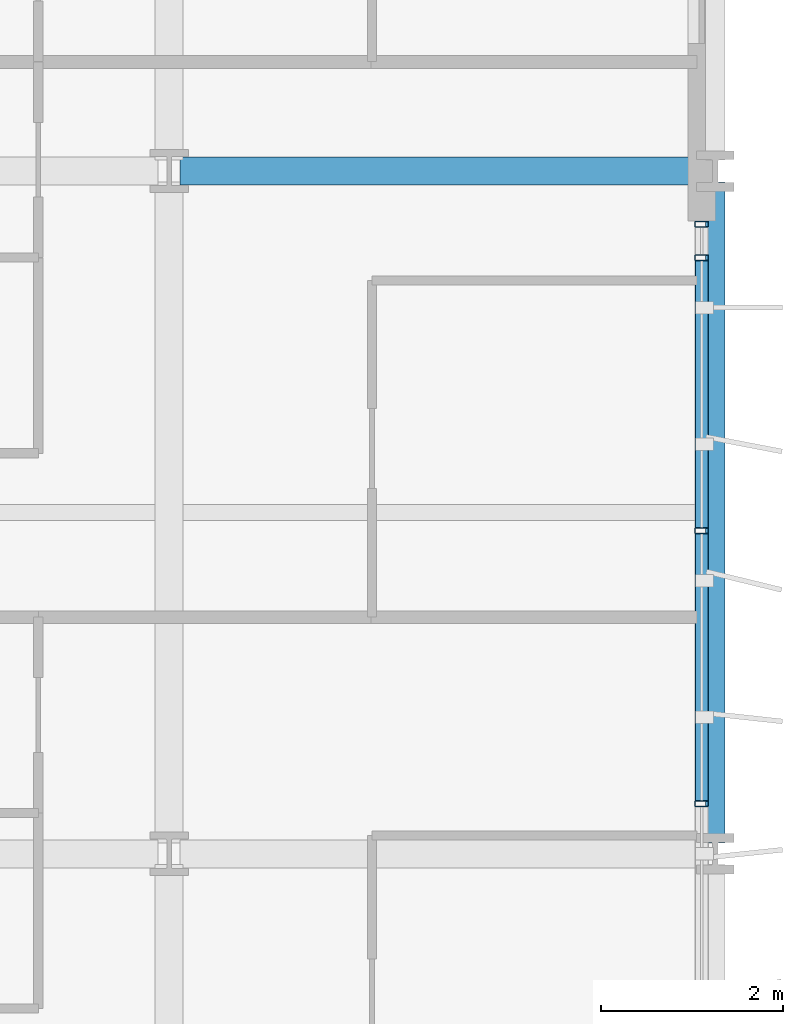
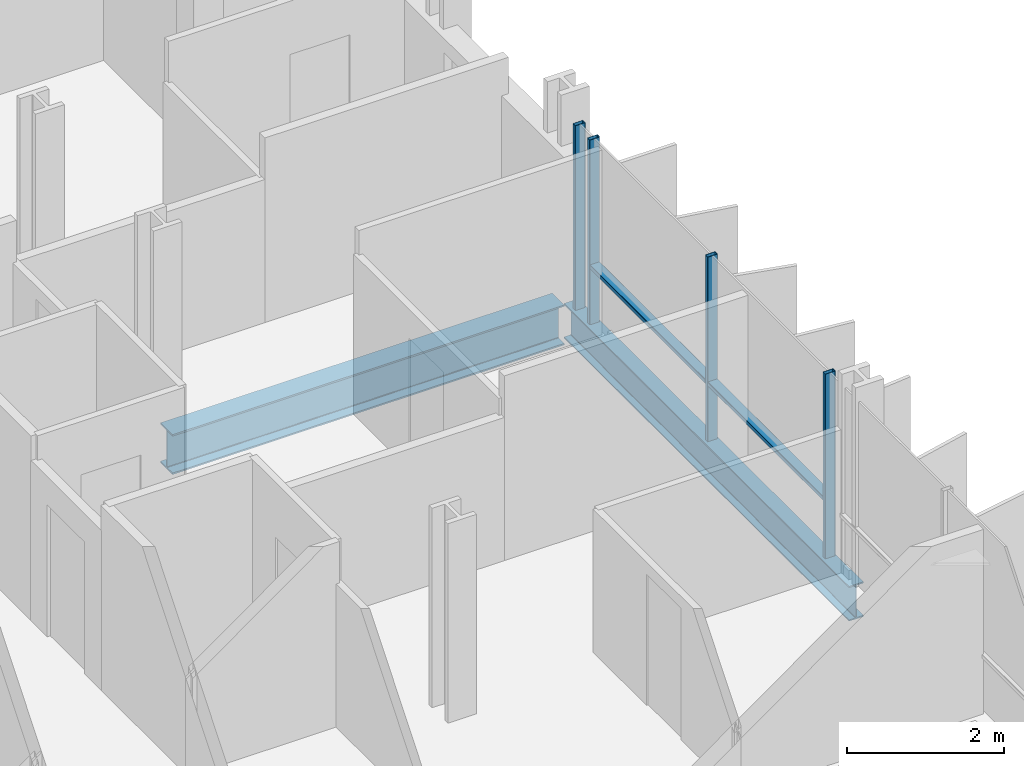
# One storey, part 19 of 39: 6 members, 2 beams, 1 element without a shape of its own.
"""IFC4 building model written with IfcOpenShell, lengths in metres."""

from ifc_helpers import new_model, si_unit, direction, frame, origin, origin_2d, place, context, subcontext, project, spatial, hollow_rectangle, i_section, extrude, material, layer, layer_set, material_profile, profile_set, type_object, element, aggregate, save


model = new_model("IFC4")

# Units and contexts
model_context = context("Model", 3, precision=1e-05, world=origin(), true_north=direction((0.0, 1.0)))
body_context = subcontext(model_context, "Body", "Model", "MODEL_VIEW")
ifc_project = project(units=[si_unit("LENGTHUNIT", "METRE"), si_unit("AREAUNIT", "SQUARE_METRE"), si_unit("VOLUMEUNIT", "CUBIC_METRE"), si_unit("PLANEANGLEUNIT", "RADIAN"), si_unit("MASSUNIT", "GRAM", prefix="KILO")], contexts=[model_context])

# Site, building, storey
site_placement = place(None, origin())
site = spatial("IfcSite", under=ifc_project, at=site_placement, CompositionType="ELEMENT")
building_placement = place(site_placement, origin())
building = spatial("IfcBuilding", under=site, at=building_placement, Name="Brevholm Reach", CompositionType="ELEMENT")
storey_placement = place(building_placement, frame((0.0, 0.0, 34.199951171875)))
storey = spatial("IfcBuildingStorey", under=building, at=storey_placement, Name="L08", CompositionType="ELEMENT", Elevation=34.199951171875)

# Beams
ifc_material_1 = material(Name="Structural Steel S355J2", Category="steel")
ifc_material_profile_1 = material_profile(ifc_material_1, i_section(OverallWidth=0.210693359375, OverallDepth=0.53955078125, WebThickness=0.01171875, FlangeThickness=0.018798828125, FilletRadius=0.0126953125, at=origin_2d()), Name="UKB 533x210x109")
ifc_profile_set_1 = profile_set([ifc_material_profile_1], Name="Structural Steel S355J2")
beam_type_1 = type_object("IfcBeamType", Name="BM-SP539", PredefinedType="SPANDREL", material=ifc_profile_set_1)
beam_1_placement = place(storey_placement, frame((60.0, 16.1201171875, -0.499755859375), z_axis=(0.0, 1.0, 0.0), x_axis=(-1.0, 0.0, 0.0)))
element("IfcBeam", 1, at=beam_1_placement, inside=storey, type_object=beam_type_1, Name="L08 SP-01B Framing Beam", PredefinedType="SPANDREL", context=body_context, shape_type="SweptSolid", body=[
    extrude(i_section(OverallWidth=0.210693359375, OverallDepth=0.53955078125, WebThickness=0.01171875, FlangeThickness=0.018798828125, FilletRadius=0.0126953125, at=origin_2d()), origin(), (0.0, 0.0, 1.0), 7.259765625),
])
ifc_material_2 = material(Name="Structural Steel S355J2", Category="steel")
ifc_material_profile_2 = material_profile(ifc_material_2, i_section(OverallWidth=0.30712890625, OverallDepth=0.6201171875, WebThickness=0.01416015625, FlangeThickness=0.023681640625, FilletRadius=0.0166015625, at=origin_2d()), Name="UKB 610x305x179")
ifc_profile_set_2 = profile_set([ifc_material_profile_2], Name="Structural Steel S355J2")
beam_type_2 = type_object("IfcBeamType", Name="BM-UKB610H", PredefinedType="USERDEFINED", material=ifc_profile_set_2)
beam_2_placement = place(storey_placement, frame((54.1201171875, 23.5, -0.5400390625), z_axis=(1.0, 0.0, 0.0), x_axis=(0.0, 1.0, 0.0)))
element("IfcBeam", 2, at=beam_2_placement, inside=storey, type_object=beam_type_2, Name="L08 G-06 Framing Beam", ObjectType="GIRDER", PredefinedType="USERDEFINED", context=body_context, shape_type="SweptSolid", body=[
    extrude(i_section(OverallWidth=0.30712890625, OverallDepth=0.6201171875, WebThickness=0.01416015625, FlangeThickness=0.023681640625, FilletRadius=0.0166015625, at=origin_2d()), origin(), (0.0, 0.0, 1.0), 5.759765625),
])

# Curtain wall, members
ifc_material_3 = material(Name="Dark Anodised Aluminium 6063-T6 and Solar-Control Glass", Category="aluminium")
ifc_layer = layer(ifc_material_3, 0.14990234375)
ifc_layer_set = layer_set([ifc_layer], Name="Dark Anodised Aluminium 6063-T6 and Solar-Control Glass")
curtain_wall_type = type_object("IfcCurtainWallType", Name="CW-01", PredefinedType="NOTDEFINED", material=ifc_layer_set)
curtain_wall_placement = place(storey_placement, origin())
curtain_wall = element("IfcCurtainWall", 3, at=curtain_wall_placement, inside=storey, type_object=curtain_wall_type, Name="L08 Curtain Wall CW-01", PredefinedType="NOTDEFINED")
ifc_material_4 = material(Name="Dark Anodised Aluminium 6063-T6", Category="aluminium")
ifc_material_profile_3 = material_profile(ifc_material_4, hollow_rectangle(XDim=0.06494140625, YDim=0.14990234375, WallThickness=0.0048828125, InnerFilletRadius=0.0048828125, OuterFilletRadius=0.010009765625, at=origin_2d()), Name="RHS 150x65x5")
ifc_profile_set_3 = profile_set([ifc_material_profile_3], Name="Dark Anodised Aluminium 6063-T6")
member_type_1 = type_object("IfcMemberType", Name="CWM-150", PredefinedType="MULLION", material=ifc_profile_set_3)
member_1_placement = place(storey_placement, frame((59.85009765625, 16.550048828125, 0.0), z_axis=(0.0, 0.0, 1.0), x_axis=(0.0, 1.0, 0.0)))
member_1 = element("IfcMember", 4, at=member_1_placement, type_object=member_type_1, Name="CM-150 Mullion 3", PredefinedType="MULLION", context=body_context, shape_type="SweptSolid", body=[
    extrude(hollow_rectangle(XDim=0.06494140625, YDim=0.14990234375, WallThickness=0.0048828125, InnerFilletRadius=0.0048828125, OuterFilletRadius=0.010009765625, at=origin_2d()), origin(), (0.0, 0.0, 1.0), 2.8701171875),
])
member_2_placement = place(storey_placement, frame((59.85009765625, 19.550048828125, 0.0), z_axis=(0.0, 0.0, 1.0), x_axis=(0.0, 1.0, 0.0)))
member_2 = element("IfcMember", 5, at=member_2_placement, type_object=member_type_1, Name="CM-150 Mullion 4", PredefinedType="MULLION", context=body_context, shape_type="SweptSolid", body=[
    extrude(hollow_rectangle(XDim=0.06494140625, YDim=0.14990234375, WallThickness=0.0048828125, InnerFilletRadius=0.0048828125, OuterFilletRadius=0.010009765625, at=origin_2d()), origin(), (0.0, 0.0, 1.0), 2.8701171875),
])
member_3_placement = place(storey_placement, frame((59.85009765625, 22.550048828125, 0.0), z_axis=(0.0, 0.0, 1.0), x_axis=(0.0, 1.0, 0.0)))
member_3 = element("IfcMember", 6, at=member_3_placement, type_object=member_type_1, Name="CM-150 Mullion 5", PredefinedType="MULLION", context=body_context, shape_type="SweptSolid", body=[
    extrude(hollow_rectangle(XDim=0.06494140625, YDim=0.14990234375, WallThickness=0.0048828125, InnerFilletRadius=0.0048828125, OuterFilletRadius=0.010009765625, at=origin_2d()), origin(), (0.0, 0.0, 1.0), 2.8701171875),
])
member_4_placement = place(storey_placement, frame((59.85009765625, 22.91748046875, 0.0), z_axis=(0.0, 0.0, 1.0), x_axis=(0.0, 1.0, 0.0)))
member_4 = element("IfcMember", 7, at=member_4_placement, type_object=member_type_1, Name="CM-150 Mullion 6", PredefinedType="MULLION", context=body_context, shape_type="SweptSolid", body=[
    extrude(hollow_rectangle(XDim=0.06494140625, YDim=0.14990234375, WallThickness=0.0048828125, InnerFilletRadius=0.0048828125, OuterFilletRadius=0.010009765625, at=origin_2d()), origin(), (0.0, 0.0, 1.0), 2.8701171875),
])
ifc_material_5 = material(Name="Dark Anodised Aluminium 6063-T6", Category="aluminium")
ifc_material_profile_4 = material_profile(ifc_material_5, hollow_rectangle(XDim=0.06494140625, YDim=0.14990234375, WallThickness=0.0048828125, InnerFilletRadius=0.0048828125, OuterFilletRadius=0.010009765625, at=origin_2d()), Name="RHS 150x65x5")
ifc_profile_set_4 = profile_set([ifc_material_profile_4], Name="Dark Anodised Aluminium 6063-T6")
member_type_2 = type_object("IfcMemberType", Name="CWT-150", PredefinedType="NOTDEFINED", material=ifc_profile_set_4)
member_5_placement = place(storey_placement, frame((59.85009765625, 16.58251953125, 0.900146484375), z_axis=(0.0, 1.0, 0.0), x_axis=(0.0, 0.0, 1.0)))
member_5 = element("IfcMember", 8, at=member_5_placement, type_object=member_type_2, Name="CT-150 Transom 3.1", ObjectType="TRANSOM", PredefinedType="USERDEFINED", context=body_context, shape_type="SweptSolid", body=[
    extrude(hollow_rectangle(XDim=0.06494140625, YDim=0.14990234375, WallThickness=0.0048828125, InnerFilletRadius=0.0048828125, OuterFilletRadius=0.010009765625, at=origin_2d()), origin(), (0.0, 0.0, 1.0), 2.93505859375),
])
member_6_placement = place(storey_placement, frame((59.85009765625, 19.58251953125, 0.900146484375), z_axis=(0.0, 1.0, 0.0), x_axis=(0.0, 0.0, 1.0)))
member_6 = element("IfcMember", 9, at=member_6_placement, type_object=member_type_2, Name="CT-150 Transom 4.1", ObjectType="TRANSOM", PredefinedType="USERDEFINED", context=body_context, shape_type="SweptSolid", body=[
    extrude(hollow_rectangle(XDim=0.06494140625, YDim=0.14990234375, WallThickness=0.0048828125, InnerFilletRadius=0.0048828125, OuterFilletRadius=0.010009765625, at=origin_2d()), origin(), (0.0, 0.0, 1.0), 2.93505859375),
])
aggregate(curtain_wall, [member_1, member_2, member_3, member_4, member_5, member_6])

save(model, "model.ifc")
